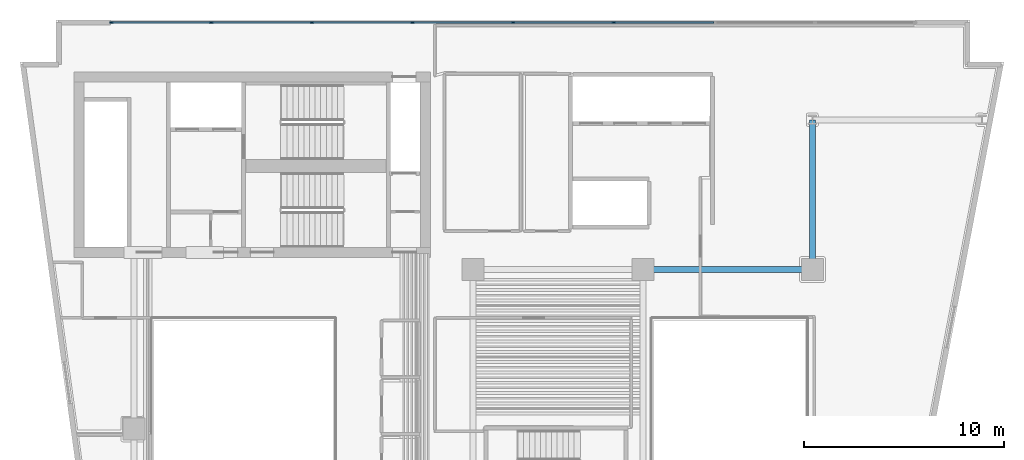
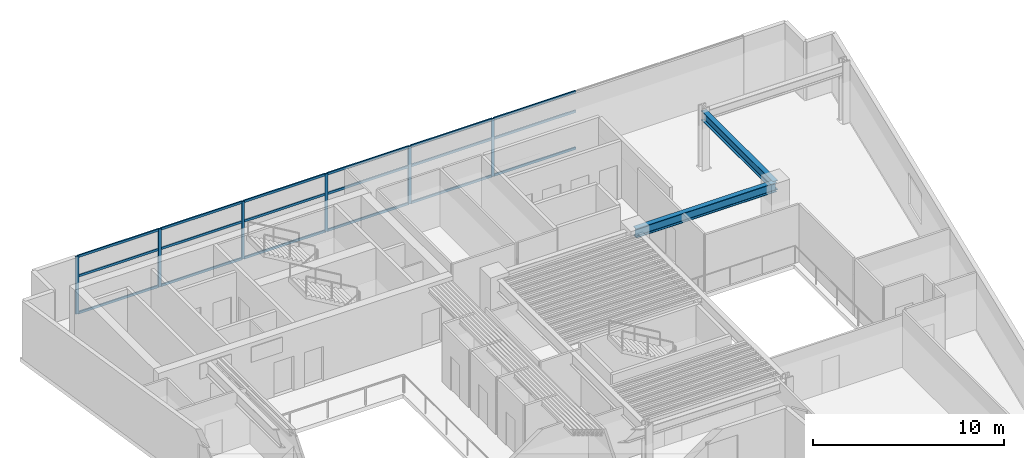
# One storey, part 3 of 13: 24 members, 2 beams, 1 element without a shape of its own.
"""IFC4 building model written with IfcOpenShell, lengths in metres."""

from ifc_helpers import new_model, si_unit, direction, frame, origin, origin_2d, place, context, subcontext, project, spatial, rectangle, i_section, extrude, material, layer, layer_set, material_profile, profile_set, type_object, element, aggregate, save


model = new_model("IFC4")

# Units and contexts
model_context = context("Model", 3, precision=1e-05, world=origin(), true_north=direction((0.0, 1.0)))
body_context = subcontext(model_context, "Body", "Model", "MODEL_VIEW")
ifc_project = project(units=[si_unit("LENGTHUNIT", "METRE"), si_unit("AREAUNIT", "SQUARE_METRE"), si_unit("VOLUMEUNIT", "CUBIC_METRE"), si_unit("PLANEANGLEUNIT", "RADIAN"), si_unit("MASSUNIT", "GRAM", prefix="KILO")], contexts=[model_context])

# Site, building, storey
site_placement = place(None, origin())
site = spatial("IfcSite", under=ifc_project, at=site_placement, CompositionType="ELEMENT")
building_placement = place(site_placement, origin())
building = spatial("IfcBuilding", under=site, at=building_placement, Name="Caeloran Harvest Quay", CompositionType="ELEMENT")
storey_placement = place(building_placement, frame((0.0, 0.0, 123.25)))
storey = spatial("IfcBuildingStorey", under=building, at=storey_placement, Name="L28", CompositionType="ELEMENT", Elevation=123.25)

# Beams
ifc_material_1 = material(Name="Steel S355J2", Category="steel")
ifc_material_profile_1 = material_profile(ifc_material_1, i_section(OverallWidth=0.300048828125, OverallDepth=0.60009765625, WebThickness=0.015380859375, FlangeThickness=0.030029296875, FilletRadius=0.027099609375, at=origin_2d()), Name="HE 600 B")
ifc_profile_set_1 = profile_set([ifc_material_profile_1], Name="Steel S355J2")
beam_type = type_object("IfcBeamType", Name="BM-PG-3-HE_600_B", PredefinedType="BEAM", material=ifc_profile_set_1)
beam_1_placement = place(storey_placement, frame((34.0, 31.0, 3.389892578125), z_axis=(1.0, 0.0, 0.0), x_axis=(0.0, 1.0, 0.0)))
element("IfcBeam", 1, at=beam_1_placement, inside=storey, type_object=beam_type, Name="L28 Primary East-West Girder Y=31.0", PredefinedType="BEAM", context=body_context, shape_type="SweptSolid", body=[
    extrude(i_section(OverallWidth=0.300048828125, OverallDepth=0.60009765625, WebThickness=0.015380859375, FlangeThickness=0.030029296875, FilletRadius=0.027099609375, at=origin_2d()), origin(), (0.0, 0.0, 1.0), 8.5),
])
beam_2_placement = place(storey_placement, frame((42.5, 31.0, 3.389892578125), z_axis=(0.0, 1.0, 0.0), x_axis=(-1.0, 0.0, 0.0)))
element("IfcBeam", 2, at=beam_2_placement, inside=storey, type_object=beam_type, Name="L28 Primary North-South Girder X=42.5", PredefinedType="BEAM", context=body_context, shape_type="SweptSolid", body=[
    extrude(i_section(OverallWidth=0.300048828125, OverallDepth=0.60009765625, WebThickness=0.015380859375, FlangeThickness=0.030029296875, FilletRadius=0.027099609375, at=origin_2d()), origin(), (0.0, 0.0, 1.0), 7.5),
])

# Curtain wall, members
ifc_material_2 = material(Name="Aluminium 6063-T6 and Low-E Glazing", Category="aluminium")
ifc_layer = layer(ifc_material_2, 0.18994140625, Name="Aluminium 6063-T6 and Low-E Glazing")
ifc_layer_set = layer_set([ifc_layer], Name="Aluminium 6063-T6 and Low-E Glazing")
curtain_wall_type = type_object("IfcCurtainWallType", Name="CW-SYS-CW-3", PredefinedType="USERDEFINED", material=ifc_layer_set)
curtain_wall_placement = place(storey_placement, origin())
curtain_wall = element("IfcCurtainWall", 3, at=curtain_wall_placement, inside=storey, type_object=curtain_wall_type, Name="L28 Unitised Curtain Wall CW-3 Run 6", ObjectType="CURTAIN_WALL", PredefinedType="USERDEFINED")
ifc_material_3 = material(Name="Aluminium 6063-T6", Category="aluminium")
ifc_material_profile_2 = material_profile(ifc_material_3, rectangle(XDim=0.080078125, YDim=0.179931640625, at=origin_2d()), Name="CW-MULLION-180")
ifc_profile_set_2 = profile_set([ifc_material_profile_2], Name="Aluminium 6063-T6")
member_type_1 = type_object("IfcMemberType", Name="CW-MULLION-180", PredefinedType="MULLION", material=ifc_profile_set_2)
member_1_placement = place(storey_placement, frame((7.3701171875, 43.3701171875, 0.0), z_axis=(0.0, 0.0, 1.0), x_axis=(0.0, 1.0, 0.0)))
member_1 = element("IfcMember", 4, at=member_1_placement, type_object=member_type_1, Name="CW-3 mullion 1", PredefinedType="MULLION", context=body_context, shape_type="SweptSolid", body=[
    extrude(rectangle(XDim=0.080078125, YDim=0.179931640625, at=origin_2d()), origin(), (0.0, 0.0, 1.0), 3.68994140625),
])
member_2_placement = place(storey_placement, frame((12.37255859375, 43.3701171875, 0.0), z_axis=(0.0, 0.0, 1.0), x_axis=(0.0, 1.0, 0.0)))
member_2 = element("IfcMember", 5, at=member_2_placement, type_object=member_type_1, Name="CW-3 mullion 2", PredefinedType="MULLION", context=body_context, shape_type="SweptSolid", body=[
    extrude(rectangle(XDim=0.080078125, YDim=0.179931640625, at=origin_2d()), origin(), (0.0, 0.0, 1.0), 3.68994140625),
])
member_3_placement = place(storey_placement, frame((17.4150390625, 43.3701171875, 0.0), z_axis=(0.0, 0.0, 1.0), x_axis=(0.0, 1.0, 0.0)))
member_3 = element("IfcMember", 6, at=member_3_placement, type_object=member_type_1, Name="CW-3 mullion 3", PredefinedType="MULLION", context=body_context, shape_type="SweptSolid", body=[
    extrude(rectangle(XDim=0.080078125, YDim=0.179931640625, at=origin_2d()), origin(), (0.0, 0.0, 1.0), 3.68994140625),
])
member_4_placement = place(storey_placement, frame((22.45751953125, 43.3701171875, 0.0), z_axis=(0.0, 0.0, 1.0), x_axis=(0.0, 1.0, 0.0)))
member_4 = element("IfcMember", 7, at=member_4_placement, type_object=member_type_1, Name="CW-3 mullion 4", PredefinedType="MULLION", context=body_context, shape_type="SweptSolid", body=[
    extrude(rectangle(XDim=0.080078125, YDim=0.179931640625, at=origin_2d()), origin(), (0.0, 0.0, 1.0), 3.68994140625),
])
member_5_placement = place(storey_placement, frame((27.5, 43.3701171875, 0.0), z_axis=(0.0, 0.0, 1.0), x_axis=(0.0, 1.0, 0.0)))
member_5 = element("IfcMember", 8, at=member_5_placement, type_object=member_type_1, Name="CW-3 mullion 5", PredefinedType="MULLION", context=body_context, shape_type="SweptSolid", body=[
    extrude(rectangle(XDim=0.080078125, YDim=0.179931640625, at=origin_2d()), origin(), (0.0, 0.0, 1.0), 3.68994140625),
])
member_6_placement = place(storey_placement, frame((32.54248046875, 43.3701171875, 0.0), z_axis=(0.0, 0.0, 1.0), x_axis=(0.0, 1.0, 0.0)))
member_6 = element("IfcMember", 9, at=member_6_placement, type_object=member_type_1, Name="CW-3 mullion 6", PredefinedType="MULLION", context=body_context, shape_type="SweptSolid", body=[
    extrude(rectangle(XDim=0.080078125, YDim=0.179931640625, at=origin_2d()), origin(), (0.0, 0.0, 1.0), 3.68994140625),
])
ifc_material_profile_3 = material_profile(ifc_material_3, rectangle(XDim=0.080078125, YDim=0.14990234375, at=origin_2d()), Name="CW-TRANSOM-150")
ifc_profile_set_3 = profile_set([ifc_material_profile_3], Name="Aluminium 6063-T6")
member_type_2 = type_object("IfcMemberType", Name="CW-TRANSOM-150", PredefinedType="USERDEFINED", material=ifc_profile_set_3)
member_7_placement = place(storey_placement, frame((7.409912109375, 43.3701171875, 0.0400390625), z_axis=(1.0, 0.0, 0.0), x_axis=(0.0, 1.0, 0.0)))
member_7 = element("IfcMember", 10, at=member_7_placement, type_object=member_type_2, Name="CW-3 transom 1.1", ObjectType="TRANSOM", PredefinedType="USERDEFINED", context=body_context, shape_type="SweptSolid", body=[
    extrude(rectangle(XDim=0.080078125, YDim=0.14990234375, at=origin_2d()), origin(), (0.0, 0.0, 1.0), 4.922607421875),
])
member_8_placement = place(storey_placement, frame((7.409912109375, 43.3701171875, 2.39990234375), z_axis=(1.0, 0.0, 0.0), x_axis=(0.0, 1.0, 0.0)))
member_8 = element("IfcMember", 11, at=member_8_placement, type_object=member_type_2, Name="CW-3 transom 1.2", ObjectType="TRANSOM", PredefinedType="USERDEFINED", context=body_context, shape_type="SweptSolid", body=[
    extrude(rectangle(XDim=0.080078125, YDim=0.14990234375, at=origin_2d()), origin(), (0.0, 0.0, 1.0), 4.922607421875),
])
member_9_placement = place(storey_placement, frame((7.409912109375, 43.3701171875, 3.64990234375), z_axis=(1.0, 0.0, 0.0), x_axis=(0.0, 1.0, 0.0)))
member_9 = element("IfcMember", 12, at=member_9_placement, type_object=member_type_2, Name="CW-3 transom 1.3", ObjectType="TRANSOM", PredefinedType="USERDEFINED", context=body_context, shape_type="SweptSolid", body=[
    extrude(rectangle(XDim=0.080078125, YDim=0.14990234375, at=origin_2d()), origin(), (0.0, 0.0, 1.0), 4.922607421875),
])
member_10_placement = place(storey_placement, frame((12.41259765625, 43.3701171875, 0.0400390625), z_axis=(1.0, 0.0, 0.0), x_axis=(0.0, 1.0, 0.0)))
member_10 = element("IfcMember", 13, at=member_10_placement, type_object=member_type_2, Name="CW-3 transom 2.1", ObjectType="TRANSOM", PredefinedType="USERDEFINED", context=body_context, shape_type="SweptSolid", body=[
    extrude(rectangle(XDim=0.080078125, YDim=0.14990234375, at=origin_2d()), origin(), (0.0, 0.0, 1.0), 4.96240234375),
])
member_11_placement = place(storey_placement, frame((12.41259765625, 43.3701171875, 2.39990234375), z_axis=(1.0, 0.0, 0.0), x_axis=(0.0, 1.0, 0.0)))
member_11 = element("IfcMember", 14, at=member_11_placement, type_object=member_type_2, Name="CW-3 transom 2.2", ObjectType="TRANSOM", PredefinedType="USERDEFINED", context=body_context, shape_type="SweptSolid", body=[
    extrude(rectangle(XDim=0.080078125, YDim=0.14990234375, at=origin_2d()), origin(), (0.0, 0.0, 1.0), 4.96240234375),
])
member_12_placement = place(storey_placement, frame((12.41259765625, 43.3701171875, 3.64990234375), z_axis=(1.0, 0.0, 0.0), x_axis=(0.0, 1.0, 0.0)))
member_12 = element("IfcMember", 15, at=member_12_placement, type_object=member_type_2, Name="CW-3 transom 2.3", ObjectType="TRANSOM", PredefinedType="USERDEFINED", context=body_context, shape_type="SweptSolid", body=[
    extrude(rectangle(XDim=0.080078125, YDim=0.14990234375, at=origin_2d()), origin(), (0.0, 0.0, 1.0), 4.96240234375),
])
member_13_placement = place(storey_placement, frame((17.455078125, 43.3701171875, 0.0400390625), z_axis=(1.0, 0.0, 0.0), x_axis=(0.0, 1.0, 0.0)))
member_13 = element("IfcMember", 16, at=member_13_placement, type_object=member_type_2, Name="CW-3 transom 3.1", ObjectType="TRANSOM", PredefinedType="USERDEFINED", context=body_context, shape_type="SweptSolid", body=[
    extrude(rectangle(XDim=0.080078125, YDim=0.14990234375, at=origin_2d()), origin(), (0.0, 0.0, 1.0), 4.96240234375),
])
member_14_placement = place(storey_placement, frame((17.455078125, 43.3701171875, 2.39990234375), z_axis=(1.0, 0.0, 0.0), x_axis=(0.0, 1.0, 0.0)))
member_14 = element("IfcMember", 17, at=member_14_placement, type_object=member_type_2, Name="CW-3 transom 3.2", ObjectType="TRANSOM", PredefinedType="USERDEFINED", context=body_context, shape_type="SweptSolid", body=[
    extrude(rectangle(XDim=0.080078125, YDim=0.14990234375, at=origin_2d()), origin(), (0.0, 0.0, 1.0), 4.96240234375),
])
member_15_placement = place(storey_placement, frame((17.455078125, 43.3701171875, 3.64990234375), z_axis=(1.0, 0.0, 0.0), x_axis=(0.0, 1.0, 0.0)))
member_15 = element("IfcMember", 18, at=member_15_placement, type_object=member_type_2, Name="CW-3 transom 3.3", ObjectType="TRANSOM", PredefinedType="USERDEFINED", context=body_context, shape_type="SweptSolid", body=[
    extrude(rectangle(XDim=0.080078125, YDim=0.14990234375, at=origin_2d()), origin(), (0.0, 0.0, 1.0), 4.96240234375),
])
member_16_placement = place(storey_placement, frame((22.49755859375, 43.3701171875, 0.0400390625), z_axis=(1.0, 0.0, 0.0), x_axis=(0.0, 1.0, 0.0)))
member_16 = element("IfcMember", 19, at=member_16_placement, type_object=member_type_2, Name="CW-3 transom 4.1", ObjectType="TRANSOM", PredefinedType="USERDEFINED", context=body_context, shape_type="SweptSolid", body=[
    extrude(rectangle(XDim=0.080078125, YDim=0.14990234375, at=origin_2d()), origin(), (0.0, 0.0, 1.0), 4.96240234375),
])
member_17_placement = place(storey_placement, frame((22.49755859375, 43.3701171875, 2.39990234375), z_axis=(1.0, 0.0, 0.0), x_axis=(0.0, 1.0, 0.0)))
member_17 = element("IfcMember", 20, at=member_17_placement, type_object=member_type_2, Name="CW-3 transom 4.2", ObjectType="TRANSOM", PredefinedType="USERDEFINED", context=body_context, shape_type="SweptSolid", body=[
    extrude(rectangle(XDim=0.080078125, YDim=0.14990234375, at=origin_2d()), origin(), (0.0, 0.0, 1.0), 4.96240234375),
])
member_18_placement = place(storey_placement, frame((22.49755859375, 43.3701171875, 3.64990234375), z_axis=(1.0, 0.0, 0.0), x_axis=(0.0, 1.0, 0.0)))
member_18 = element("IfcMember", 21, at=member_18_placement, type_object=member_type_2, Name="CW-3 transom 4.3", ObjectType="TRANSOM", PredefinedType="USERDEFINED", context=body_context, shape_type="SweptSolid", body=[
    extrude(rectangle(XDim=0.080078125, YDim=0.14990234375, at=origin_2d()), origin(), (0.0, 0.0, 1.0), 4.96240234375),
])
member_19_placement = place(storey_placement, frame((27.5400390625, 43.3701171875, 0.0400390625), z_axis=(1.0, 0.0, 0.0), x_axis=(0.0, 1.0, 0.0)))
member_19 = element("IfcMember", 22, at=member_19_placement, type_object=member_type_2, Name="CW-3 transom 5.1", ObjectType="TRANSOM", PredefinedType="USERDEFINED", context=body_context, shape_type="SweptSolid", body=[
    extrude(rectangle(XDim=0.080078125, YDim=0.14990234375, at=origin_2d()), origin(), (0.0, 0.0, 1.0), 4.96240234375),
])
member_20_placement = place(storey_placement, frame((27.5400390625, 43.3701171875, 2.39990234375), z_axis=(1.0, 0.0, 0.0), x_axis=(0.0, 1.0, 0.0)))
member_20 = element("IfcMember", 23, at=member_20_placement, type_object=member_type_2, Name="CW-3 transom 5.2", ObjectType="TRANSOM", PredefinedType="USERDEFINED", context=body_context, shape_type="SweptSolid", body=[
    extrude(rectangle(XDim=0.080078125, YDim=0.14990234375, at=origin_2d()), origin(), (0.0, 0.0, 1.0), 4.96240234375),
])
member_21_placement = place(storey_placement, frame((27.5400390625, 43.3701171875, 3.64990234375), z_axis=(1.0, 0.0, 0.0), x_axis=(0.0, 1.0, 0.0)))
member_21 = element("IfcMember", 24, at=member_21_placement, type_object=member_type_2, Name="CW-3 transom 5.3", ObjectType="TRANSOM", PredefinedType="USERDEFINED", context=body_context, shape_type="SweptSolid", body=[
    extrude(rectangle(XDim=0.080078125, YDim=0.14990234375, at=origin_2d()), origin(), (0.0, 0.0, 1.0), 4.96240234375),
])
member_22_placement = place(storey_placement, frame((32.58251953125, 43.3701171875, 0.0400390625), z_axis=(1.0, 0.0, 0.0), x_axis=(0.0, 1.0, 0.0)))
member_22 = element("IfcMember", 25, at=member_22_placement, type_object=member_type_2, Name="CW-3 transom 6.1", ObjectType="TRANSOM", PredefinedType="USERDEFINED", context=body_context, shape_type="SweptSolid", body=[
    extrude(rectangle(XDim=0.080078125, YDim=0.14990234375, at=origin_2d()), origin(), (0.0, 0.0, 1.0), 4.96240234375),
])
member_23_placement = place(storey_placement, frame((32.58251953125, 43.3701171875, 2.39990234375), z_axis=(1.0, 0.0, 0.0), x_axis=(0.0, 1.0, 0.0)))
member_23 = element("IfcMember", 26, at=member_23_placement, type_object=member_type_2, Name="CW-3 transom 6.2", ObjectType="TRANSOM", PredefinedType="USERDEFINED", context=body_context, shape_type="SweptSolid", body=[
    extrude(rectangle(XDim=0.080078125, YDim=0.14990234375, at=origin_2d()), origin(), (0.0, 0.0, 1.0), 4.96240234375),
])
member_24_placement = place(storey_placement, frame((32.58251953125, 43.3701171875, 3.64990234375), z_axis=(1.0, 0.0, 0.0), x_axis=(0.0, 1.0, 0.0)))
member_24 = element("IfcMember", 27, at=member_24_placement, type_object=member_type_2, Name="CW-3 transom 6.3", ObjectType="TRANSOM", PredefinedType="USERDEFINED", context=body_context, shape_type="SweptSolid", body=[
    extrude(rectangle(XDim=0.080078125, YDim=0.14990234375, at=origin_2d()), origin(), (0.0, 0.0, 1.0), 4.96240234375),
])
aggregate(curtain_wall, [member_1, member_2, member_3, member_4, member_5, member_6, member_7, member_8, member_9, member_10, member_11, member_12, member_13, member_14, member_15, member_16, member_17, member_18, member_19, member_20, member_21, member_22, member_23, member_24])

save(model, "model.ifc")
